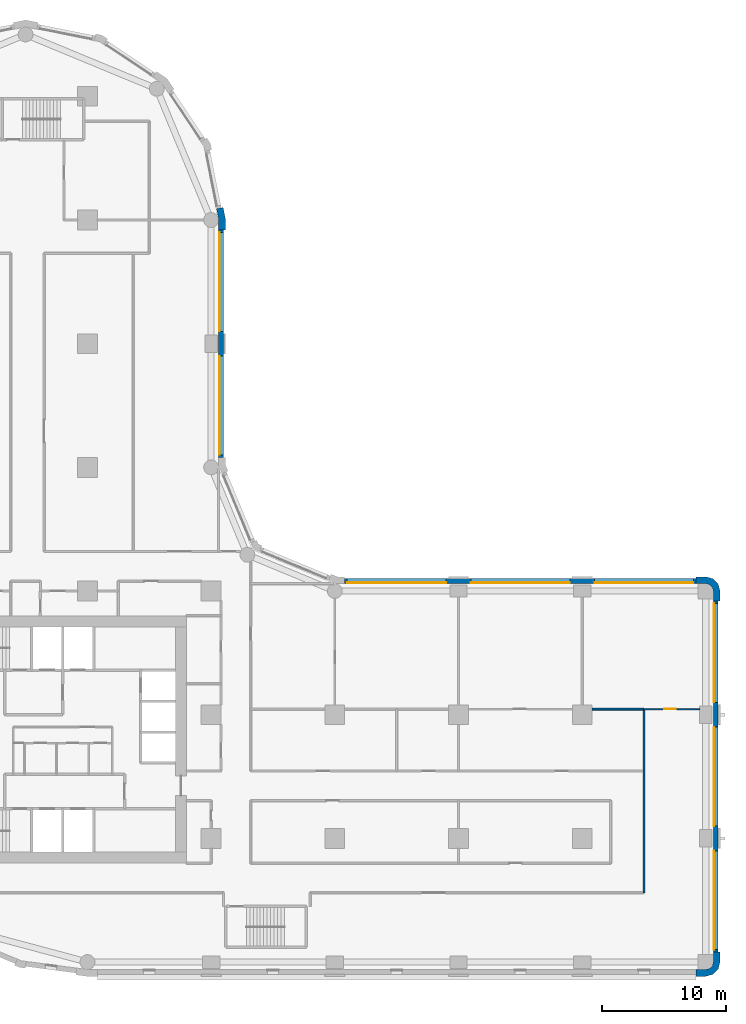
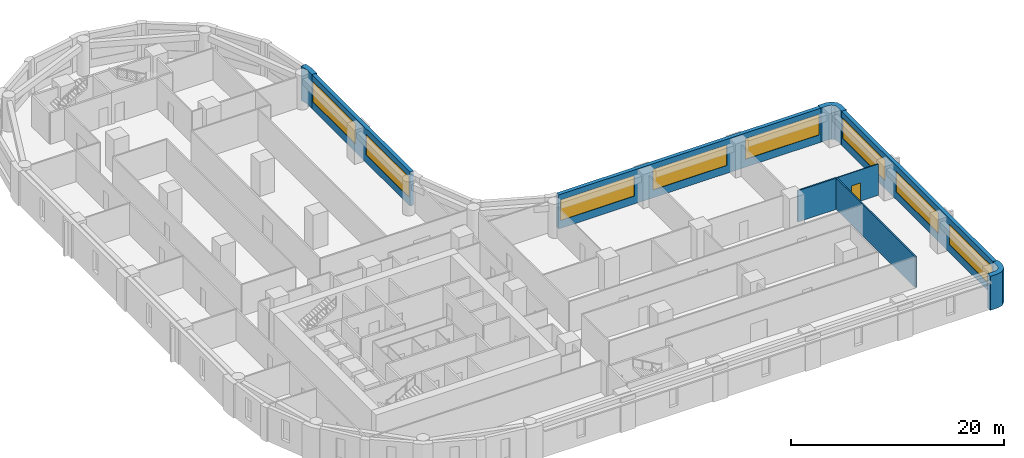
# One storey, part 6 of 10: 9 walls, 8 windows, 1 door, 9 openings.
"""IFC4 building model written with IfcOpenShell, lengths in metres."""

from ifc_helpers import new_model, si_unit, direction, frame, frame_2d, origin, place, context, subcontext, project, spatial, polyline, rectangle, outline, extrude, material, layer, layer_set, type_object, element, fill, save


model = new_model("IFC4")

# Units and contexts
model_context = context("Model", 3, precision=1e-05, world=origin(), true_north=direction((0.0, 1.0)))
body_context = subcontext(model_context, "Body", "Model", "MODEL_VIEW")
ifc_project = project(units=[si_unit("LENGTHUNIT", "METRE"), si_unit("AREAUNIT", "SQUARE_METRE"), si_unit("VOLUMEUNIT", "CUBIC_METRE"), si_unit("PLANEANGLEUNIT", "RADIAN"), si_unit("MASSUNIT", "GRAM", prefix="KILO")], contexts=[model_context])

# Site, building, storey
site_placement = place(None, origin())
site = spatial("IfcSite", under=ifc_project, at=site_placement, CompositionType="ELEMENT")
building_placement = place(site_placement, origin())
building = spatial("IfcBuilding", under=site, at=building_placement, Name="Qaws Garden Tower", CompositionType="ELEMENT")
storey_placement = place(building_placement, frame((0.0, 0.0, 74.39990234375)))
storey = spatial("IfcBuildingStorey", under=building, at=storey_placement, Name="L18", CompositionType="ELEMENT", Elevation=74.39990234375)

# Walls
ifc_material_1 = material(Name="Clay facing brick masonry", Category="masonry")
ifc_layer_1 = layer(ifc_material_1, 0.550048828125)
ifc_layer_set_1 = layer_set([ifc_layer_1], Name="Clay facing brick masonry")
wall_type_1 = type_object("IfcWallType", Name="Brick corner pier 550 x 2400", PredefinedType="SOLIDWALL", material=ifc_layer_set_1)
placement = place(storey_placement, origin())
element("IfcWall", 1, at=placement, inside=storey, type_object=wall_type_1, Name="E-L18-pier-05", PredefinedType="SOLIDWALL", context=body_context, shape_type="SweptSolid", body=[
    extrude(outline(polyline([(69.199951171875, -1.0), (69.199951171875, -1.14990234375), (70.0, -1.14990234375), (70.574951171875, -0.995849609375), (70.995849609375, -0.574951171875), (71.14990234375, 0.0), (71.14990234375, 0.800048828125), (71.0, 0.800048828125), (70.60009765625, 0.800048828125), (70.60009765625, 0.0), (70.51953125, -0.300048828125), (70.300048828125, -0.51953125), (70.0, -0.60009765625), (69.199951171875, -0.60009765625), (69.199951171875, -1.0)])), origin(), (0.0, 0.0, 1.0), 3.900146484375),
])
element("IfcWall", 2, at=placement, inside=storey, type_object=wall_type_1, Name="E-L18-pier-08", PredefinedType="SOLIDWALL", context=body_context, shape_type="SweptSolid", body=[
    extrude(outline(polyline([(71.0, 29.199951171875), (71.14990234375, 29.199951171875), (71.14990234375, 30.0), (70.995849609375, 30.574951171875), (70.574951171875, 30.995849609375), (70.0, 31.14990234375), (69.199951171875, 31.14990234375), (69.199951171875, 31.0), (69.199951171875, 30.60009765625), (70.0, 30.60009765625), (70.300048828125, 30.51953125), (70.51953125, 30.300048828125), (70.60009765625, 30.0), (70.60009765625, 29.199951171875), (71.0, 29.199951171875)])), origin(), (0.0, 0.0, 1.0), 3.900146484375),
])

# Wall, openings, windows
ifc_material_2 = material(Name="Clay facing brick masonry", Category="masonry")
ifc_layer_2 = layer(ifc_material_2, 0.39990234375)
ifc_layer_set_2 = layer_set([ifc_layer_2], Name="Clay facing brick masonry")
wall_type_2 = type_object("IfcWallType", Name="Brick infill wall 400", PredefinedType="SOLIDWALL", material=ifc_layer_set_2)
wall_3_placement = place(storey_placement, frame((70.800048828125, 0.800048828125, 0.0), z_axis=(0.0, 0.0, 1.0), x_axis=(0.0, 1.0, 0.0)))
wall_3 = element("IfcWall", 3, at=wall_3_placement, inside=storey, type_object=wall_type_2, Name="E-L18-infill-05", PredefinedType="SOLIDWALL", context=body_context, shape_type="SweptSolid", body=[
    extrude(rectangle(XDim=28.39990234375, YDim=0.39990234375, at=frame_2d((14.199951171875, 0.0))), origin(), (0.0, 0.0, 1.0), 3.900146484375),
])
opening_1_placement = place(wall_3_placement, frame((0.199951171875, 0.0, 0.89990234375)))
opening_1 = element("IfcOpeningElement", 4, at=opening_1_placement, cuts=wall_3, Name="Opening W01", PredefinedType="OPENING", context=body_context, shape_type="SweptSolid", body=[
    extrude(rectangle(XDim=8.0, YDim=2.35009765625, at=frame_2d((4.0, 1.175048828125))), frame((0.0, 0.2099609375, 0.0), z_axis=(0.0, -1.0, 0.0), x_axis=(1.0, 0.0, 0.0)), (0.0, 0.0, 1.0), 0.419921875),
])
opening_2_placement = place(wall_3_placement, frame((10.199951171875, 0.0, 0.89990234375)))
opening_2 = element("IfcOpeningElement", 5, at=opening_2_placement, cuts=wall_3, Name="Opening W01", PredefinedType="OPENING", context=body_context, shape_type="SweptSolid", body=[
    extrude(rectangle(XDim=8.0, YDim=2.35009765625, at=frame_2d((4.0, 1.175048828125))), frame((0.0, 0.2099609375, 0.0), z_axis=(0.0, -1.0, 0.0), x_axis=(1.0, 0.0, 0.0)), (0.0, 0.0, 1.0), 0.419921875),
])
opening_3_placement = place(wall_3_placement, frame((20.199951171875, 0.0, 0.89990234375)))
opening_3 = element("IfcOpeningElement", 6, at=opening_3_placement, cuts=wall_3, Name="Opening W01", PredefinedType="OPENING", context=body_context, shape_type="SweptSolid", body=[
    extrude(rectangle(XDim=8.0, YDim=2.35009765625, at=frame_2d((4.0, 1.175048828125))), frame((0.0, 0.2099609375, 0.0), z_axis=(0.0, -1.0, 0.0), x_axis=(1.0, 0.0, 0.0)), (0.0, 0.0, 1.0), 0.419921875),
])
ifc_material_3 = material(Name="Aluminium framed window, clear glazing", Category="aluminium")
window_type = type_object("IfcWindowType", Name="Ribbon window 8000 x 2350", PartitioningType="DOUBLE_PANEL_VERTICAL", PredefinedType="WINDOW", material=ifc_material_3)
window_1_placement = place(opening_1_placement, origin())
window_1 = element("IfcWindow", 7, at=window_1_placement, inside=storey, type_object=window_type, Name="E-L18-window-05-0", OverallHeight=2.35009765625, OverallWidth=8.0, PartitioningType="SINGLE_PANEL", PredefinedType="WINDOW", context=body_context, shape_type="SweptSolid", body=[
    extrude(rectangle(XDim=8.0, YDim=2.35009765625, at=frame_2d((4.0, 1.175048828125))), frame((0.0, 0.159912109375, 0.0), z_axis=(0.0, -1.0, 0.0), x_axis=(1.0, 0.0, 0.0)), (0.0, 0.0, 1.0), 0.06005859375),
])
fill(opening_1, window_1)
window_2_placement = place(opening_2_placement, origin())
window_2 = element("IfcWindow", 8, at=window_2_placement, inside=storey, type_object=window_type, Name="E-L18-window-06-0", OverallHeight=2.35009765625, OverallWidth=8.0, PartitioningType="SINGLE_PANEL", PredefinedType="WINDOW", context=body_context, shape_type="SweptSolid", body=[
    extrude(rectangle(XDim=8.0, YDim=2.35009765625, at=frame_2d((4.0, 1.175048828125))), frame((0.0, 0.159912109375, 0.0), z_axis=(0.0, -1.0, 0.0), x_axis=(1.0, 0.0, 0.0)), (0.0, 0.0, 1.0), 0.06005859375),
])
fill(opening_2, window_2)
window_3_placement = place(opening_3_placement, origin())
window_3 = element("IfcWindow", 9, at=window_3_placement, inside=storey, type_object=window_type, Name="E-L18-window-07-0", OverallHeight=2.35009765625, OverallWidth=8.0, PartitioningType="SINGLE_PANEL", PredefinedType="WINDOW", context=body_context, shape_type="SweptSolid", body=[
    extrude(rectangle(XDim=8.0, YDim=2.35009765625, at=frame_2d((4.0, 1.175048828125))), frame((0.0, 0.159912109375, 0.0), z_axis=(0.0, -1.0, 0.0), x_axis=(1.0, 0.0, 0.0)), (0.0, 0.0, 1.0), 0.06005859375),
])
fill(opening_3, window_3)

wall_4_placement = place(storey_placement, frame((69.199951171875, 30.800048828125, 0.0), z_axis=(0.0, 0.0, 1.0), x_axis=(-1.0, 0.0, 0.0)))
wall_4 = element("IfcWall", 10, at=wall_4_placement, inside=storey, type_object=wall_type_2, Name="E-L18-infill-08", PredefinedType="SOLIDWALL", context=body_context, shape_type="SweptSolid", body=[
    extrude(rectangle(XDim=28.39990234375, YDim=0.39990234375, at=frame_2d((14.199951171875, 0.0))), origin(), (0.0, 0.0, 1.0), 3.900146484375),
])
opening_4_placement = place(wall_4_placement, frame((0.199951171875, 0.0, 0.89990234375)))
opening_4 = element("IfcOpeningElement", 11, at=opening_4_placement, cuts=wall_4, Name="Opening W01", PredefinedType="OPENING", context=body_context, shape_type="SweptSolid", body=[
    extrude(rectangle(XDim=8.0, YDim=2.35009765625, at=frame_2d((4.0, 1.175048828125))), frame((0.0, 0.2099609375, 0.0), z_axis=(0.0, -1.0, 0.0), x_axis=(1.0, 0.0, 0.0)), (0.0, 0.0, 1.0), 0.419921875),
])
opening_5_placement = place(wall_4_placement, frame((10.199951171875, 0.0, 0.89990234375)))
opening_5 = element("IfcOpeningElement", 12, at=opening_5_placement, cuts=wall_4, Name="Opening W01", PredefinedType="OPENING", context=body_context, shape_type="SweptSolid", body=[
    extrude(rectangle(XDim=8.0, YDim=2.35009765625, at=frame_2d((4.0, 1.175048828125))), frame((0.0, 0.2099609375, 0.0), z_axis=(0.0, -1.0, 0.0), x_axis=(1.0, 0.0, 0.0)), (0.0, 0.0, 1.0), 0.419921875),
])
opening_6_placement = place(wall_4_placement, frame((20.199951171875, 0.0, 0.89990234375)))
opening_6 = element("IfcOpeningElement", 13, at=opening_6_placement, cuts=wall_4, Name="Opening W01", PredefinedType="OPENING", context=body_context, shape_type="SweptSolid", body=[
    extrude(rectangle(XDim=8.0, YDim=2.35009765625, at=frame_2d((4.0, 1.175048828125))), frame((0.0, 0.2099609375, 0.0), z_axis=(0.0, -1.0, 0.0), x_axis=(1.0, 0.0, 0.0)), (0.0, 0.0, 1.0), 0.419921875),
])
window_4_placement = place(opening_4_placement, origin())
window_4 = element("IfcWindow", 14, at=window_4_placement, inside=storey, type_object=window_type, Name="E-L18-window-08-0", OverallHeight=2.35009765625, OverallWidth=8.0, PartitioningType="SINGLE_PANEL", PredefinedType="WINDOW", context=body_context, shape_type="SweptSolid", body=[
    extrude(rectangle(XDim=8.0, YDim=2.35009765625, at=frame_2d((4.0, 1.175048828125))), frame((0.0, 0.159912109375, 0.0), z_axis=(0.0, -1.0, 0.0), x_axis=(1.0, 0.0, 0.0)), (0.0, 0.0, 1.0), 0.06005859375),
])
fill(opening_4, window_4)
window_5_placement = place(opening_5_placement, origin())
window_5 = element("IfcWindow", 15, at=window_5_placement, inside=storey, type_object=window_type, Name="E-L18-window-09-0", OverallHeight=2.35009765625, OverallWidth=8.0, PartitioningType="SINGLE_PANEL", PredefinedType="WINDOW", context=body_context, shape_type="SweptSolid", body=[
    extrude(rectangle(XDim=8.0, YDim=2.35009765625, at=frame_2d((4.0, 1.175048828125))), frame((0.0, 0.159912109375, 0.0), z_axis=(0.0, -1.0, 0.0), x_axis=(1.0, 0.0, 0.0)), (0.0, 0.0, 1.0), 0.06005859375),
])
fill(opening_5, window_5)
window_6_placement = place(opening_6_placement, origin())
window_6 = element("IfcWindow", 16, at=window_6_placement, inside=storey, type_object=window_type, Name="E-L18-window-10-0", OverallHeight=2.35009765625, OverallWidth=8.0, PartitioningType="SINGLE_PANEL", PredefinedType="WINDOW", context=body_context, shape_type="SweptSolid", body=[
    extrude(rectangle(XDim=8.0, YDim=2.35009765625, at=frame_2d((4.0, 1.175048828125))), frame((0.0, 0.159912109375, 0.0), z_axis=(0.0, -1.0, 0.0), x_axis=(1.0, 0.0, 0.0)), (0.0, 0.0, 1.0), 0.06005859375),
])
fill(opening_6, window_6)

wall_5_placement = place(storey_placement, frame((30.800048828125, 40.800048828125, 0.0), z_axis=(0.0, 0.0, 1.0), x_axis=(0.0, 1.0, 0.0)))
wall_5 = element("IfcWall", 17, at=wall_5_placement, inside=storey, type_object=wall_type_2, Name="E-L18-infill-13", PredefinedType="SOLIDWALL", context=body_context, shape_type="SweptSolid", body=[
    extrude(rectangle(XDim=18.39990234375, YDim=0.39990234375, at=frame_2d((9.199951171875, 0.0))), origin(), (0.0, 0.0, 1.0), 3.900146484375),
])
opening_7_placement = place(wall_5_placement, frame((0.199951171875, 0.0, 0.89990234375)))
opening_7 = element("IfcOpeningElement", 18, at=opening_7_placement, cuts=wall_5, Name="Opening W01", PredefinedType="OPENING", context=body_context, shape_type="SweptSolid", body=[
    extrude(rectangle(XDim=8.0, YDim=2.35009765625, at=frame_2d((4.0, 1.175048828125))), frame((0.0, 0.2099609375, 0.0), z_axis=(0.0, -1.0, 0.0), x_axis=(1.0, 0.0, 0.0)), (0.0, 0.0, 1.0), 0.419921875),
])
opening_8_placement = place(wall_5_placement, frame((10.199951171875, 0.0, 0.89990234375)))
opening_8 = element("IfcOpeningElement", 19, at=opening_8_placement, cuts=wall_5, Name="Opening W01", PredefinedType="OPENING", context=body_context, shape_type="SweptSolid", body=[
    extrude(rectangle(XDim=8.0, YDim=2.35009765625, at=frame_2d((4.0, 1.175048828125))), frame((0.0, 0.2099609375, 0.0), z_axis=(0.0, -1.0, 0.0), x_axis=(1.0, 0.0, 0.0)), (0.0, 0.0, 1.0), 0.419921875),
])
window_7_placement = place(opening_7_placement, origin())
window_7 = element("IfcWindow", 20, at=window_7_placement, inside=storey, type_object=window_type, Name="E-L18-window-13-0", OverallHeight=2.35009765625, OverallWidth=8.0, PartitioningType="SINGLE_PANEL", PredefinedType="WINDOW", context=body_context, shape_type="SweptSolid", body=[
    extrude(rectangle(XDim=8.0, YDim=2.35009765625, at=frame_2d((4.0, 1.175048828125))), frame((0.0, 0.159912109375, 0.0), z_axis=(0.0, -1.0, 0.0), x_axis=(1.0, 0.0, 0.0)), (0.0, 0.0, 1.0), 0.06005859375),
])
fill(opening_7, window_7)
window_8_placement = place(opening_8_placement, origin())
window_8 = element("IfcWindow", 21, at=window_8_placement, inside=storey, type_object=window_type, Name="E-L18-window-14-0", OverallHeight=2.35009765625, OverallWidth=8.0, PartitioningType="SINGLE_PANEL", PredefinedType="WINDOW", context=body_context, shape_type="SweptSolid", body=[
    extrude(rectangle(XDim=8.0, YDim=2.35009765625, at=frame_2d((4.0, 1.175048828125))), frame((0.0, 0.159912109375, 0.0), z_axis=(0.0, -1.0, 0.0), x_axis=(1.0, 0.0, 0.0)), (0.0, 0.0, 1.0), 0.06005859375),
])
fill(opening_8, window_8)

# Wall
ifc_material_4 = material(Name="Clay facing brick masonry", Category="masonry")
ifc_layer_3 = layer(ifc_material_4, 0.550048828125)
ifc_layer_set_3 = layer_set([ifc_layer_3], Name="Clay facing brick masonry")
wall_type_3 = type_object("IfcWallType", Name="Brick pier 550 x 1600", PredefinedType="SOLIDWALL", material=ifc_layer_set_3)
element("IfcWall", 22, at=placement, inside=storey, type_object=wall_type_3, Name="E-L18-pier-15", PredefinedType="SOLIDWALL", context=body_context, shape_type="SweptSolid", body=[
    extrude(outline(polyline([(31.0, 59.199951171875), (31.14990234375, 59.199951171875), (31.14990234375, 60.11328125), (30.971923828125, 61.009033203125), (30.82470703125, 60.979736328125), (30.432373046875, 60.901611328125), (30.60009765625, 60.05908203125), (30.60009765625, 59.199951171875), (31.0, 59.199951171875)])), origin(), (0.0, 0.0, 1.0), 3.900146484375),
])

# Wall, opening, door
ifc_material_5 = material(Name="Gypsum board partition")
ifc_layer_4 = layer(ifc_material_5, 0.10009765625)
ifc_layer_set_4 = layer_set([ifc_layer_4], Name="Gypsum board partition")
wall_type_4 = type_object("IfcWallType", Name="PARTITION 100", PredefinedType="PARTITIONING", material=ifc_layer_set_4)
wall_7_placement = place(storey_placement, frame((65.0, 20.449951171875, 0.0), z_axis=(0.0, 0.0, 1.0), x_axis=(1.0, 0.0, 0.0)))
wall_7 = element("IfcWall", 23, at=wall_7_placement, inside=storey, type_object=wall_type_4, Name="O-L18-wall-003", PredefinedType="PARTITIONING", context=body_context, shape_type="SweptSolid", body=[
    extrude(rectangle(XDim=4.5, YDim=0.10009765625, at=frame_2d((2.25, 0.0))), origin(), (0.0, 0.0, 1.0), 3.580078125),
])
opening_9_placement = place(wall_7_placement, frame((1.625, 0.0, 0.0)))
opening_9 = element("IfcOpeningElement", 24, at=opening_9_placement, cuts=wall_7, Name="Opening A628", PredefinedType="OPENING", context=body_context, shape_type="SweptSolid", body=[
    extrude(rectangle(XDim=0.949951171875, YDim=2.10009765625, at=frame_2d((0.47509765625, 1.050048828125))), frame((0.0, 0.06005859375, 0.0), z_axis=(0.0, -1.0, 0.0), x_axis=(1.0, 0.0, 0.0)), (0.0, 0.0, 1.0), 0.1201171875),
])
ifc_material_6 = material(Name="Timber and glass door leaf", Category="wood")
door_type = type_object("IfcDoorType", Name="GLAZED DOOR 950 X 2100", OperationType="SINGLE_SWING_LEFT", PredefinedType="DOOR", material=ifc_material_6)
door_placement = place(opening_9_placement, origin())
door = element("IfcDoor", 25, at=door_placement, inside=storey, type_object=door_type, Name="O-L18-door-028", OperationType="SINGLE_SWING_LEFT", OverallHeight=2.10009765625, OverallWidth=0.949951171875, PredefinedType="DOOR", context=body_context, shape_type="SweptSolid", body=[
    extrude(rectangle(XDim=0.949951171875, YDim=2.10009765625, at=frame_2d((0.47509765625, 1.050048828125))), frame((0.0, 0.02490234375, 0.0), z_axis=(0.0, -1.0, 0.0), x_axis=(1.0, 0.0, 0.0)), (0.0, 0.0, 1.0), 0.050048828125),
])
fill(opening_9, door)

# Walls
ifc_material_7 = material(Name="Gypsum board partition")
ifc_layer_5 = layer(ifc_material_7, 0.14990234375)
ifc_layer_set_5 = layer_set([ifc_layer_5], Name="Gypsum board partition")
wall_type_5 = type_object("IfcWallType", Name="PARTITION 150 EI 60", PredefinedType="PARTITIONING", material=ifc_layer_set_5)
wall_8_placement = place(storey_placement, frame((65.0, 5.60009765625, 0.0), z_axis=(0.0, 0.0, 1.0), x_axis=(0.0, 1.0, 0.0)))
element("IfcWall", 26, at=wall_8_placement, inside=storey, type_object=wall_type_5, Name="O-L18-wall-032", PredefinedType="PARTITIONING", context=body_context, shape_type="SweptSolid", body=[
    extrude(rectangle(XDim=14.849853515625, YDim=0.14990234375, at=frame_2d((7.4248046875, 0.0))), origin(), (0.0, 0.0, 1.0), 3.580078125),
])
wall_9_placement = place(storey_placement, frame((60.800048828125, 20.449951171875, 0.0), z_axis=(0.0, 0.0, 1.0), x_axis=(1.0, 0.0, 0.0)))
element("IfcWall", 27, at=wall_9_placement, inside=storey, type_object=wall_type_5, Name="O-L18-wall-045", PredefinedType="PARTITIONING", context=body_context, shape_type="SweptSolid", body=[
    extrude(rectangle(XDim=4.199951171875, YDim=0.14990234375, at=frame_2d((2.10009765625, 0.0))), origin(), (0.0, 0.0, 1.0), 3.580078125),
])

save(model, "model.ifc")
